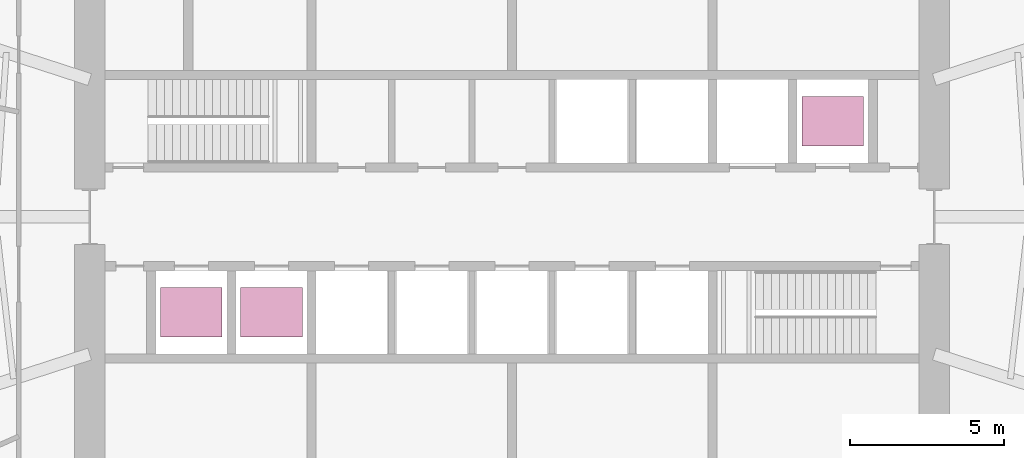
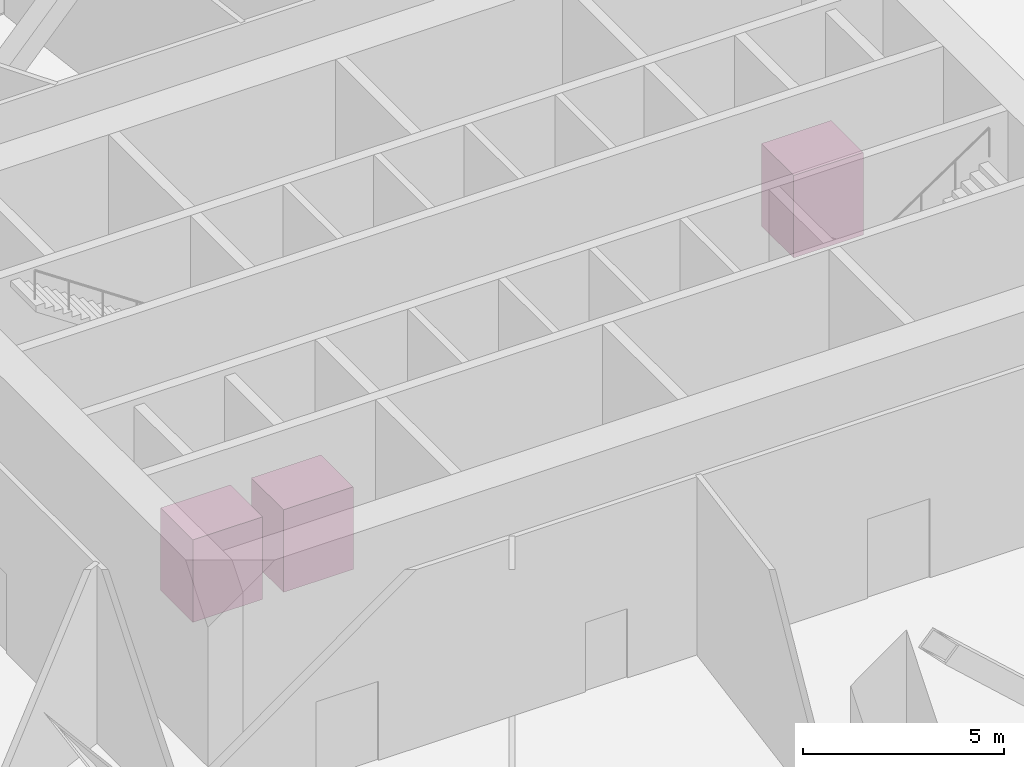
# One storey, part 14 of 14: 3 transport elements.
"""IFC4 building model written with IfcOpenShell, lengths in metres."""

import ifcopenshell
import ifcopenshell.guid

model = None  # the IFC model being written
_history = None  # IfcOwnerHistory: only IFC2X3 demands one
_inside = {}  # id of a spatial element -> (the spatial element, [elements in it])
_under = {}  # id of a project, library or spatial element -> (it, [spatial elements below it])
_declared = {}  # id of a project -> (the project, [libraries it declares])
_typed = {}  # id of a type object -> (the type object, [elements of that type])
_made_of = {}  # id of a material, layer set ... -> (it, [elements and type objects made of it])


def new_model(schema):
    """Start an empty IFC model of exactly this schema.

    Asked for "IFC4X3", IfcOpenShell would pick the latest addendum, in which some entities
    have other attributes; the version numbers below select the first issue.
    IFC2X3 requires an IfcOwnerHistory on every rooted entity: one is made here for all.
    """
    global model, _history
    if schema == "IFC4X3":
        model = ifcopenshell.file(schema_version=(4, 3, 0, 0))
    else:
        model = ifcopenshell.file(schema=schema)
    _inside.clear()
    _under.clear()
    _declared.clear()
    _typed.clear()
    _made_of.clear()
    _history = None
    if model.schema == "IFC2X3":
        org = make("IfcOrganization", Name="unknown")
        user = make(
            "IfcPersonAndOrganization",
            ThePerson=make("IfcPerson", FamilyName="unknown"),
            TheOrganization=org,
        )
        app = make(
            "IfcApplication",
            ApplicationDeveloper=org,
            Version="unknown",
            ApplicationFullName="unknown",
            ApplicationIdentifier="unknown",
        )
        _history = make(
            "IfcOwnerHistory",
            OwningUser=user,
            OwningApplication=app,
            ChangeAction="ADDED",
            CreationDate=0,
        )
    return model


def make(cls, **values):
    """One entity of the class cls with the attributes given. An attribute that is None is left unset."""
    return model.create_entity(
        cls, **{name: value for name, value in values.items() if value is not None}
    )


def rooted(cls, **values):
    """An entity with a GlobalId (a new one), such as an element, a storey or a relation."""
    return make(cls, GlobalId=ifcopenshell.guid.new(), OwnerHistory=_history, **values)


def si_unit(unit_type, name, prefix=None):
    """IfcSIUnit, for example si_unit("LENGTHUNIT", "METRE", prefix="MILLI")."""
    return make("IfcSIUnit", UnitType=unit_type, Prefix=prefix, Name=name)


def assignment(units):
    """IfcUnitAssignment: the units of a project."""
    return None if units is None else make("IfcUnitAssignment", Units=units)


def point(xyz):
    """IfcCartesianPoint."""
    return None if xyz is None else make("IfcCartesianPoint", Coordinates=xyz)


def direction(xyz):
    """IfcDirection."""
    return None if xyz is None else make("IfcDirection", DirectionRatios=xyz)


def frame(location, z_axis=None, x_axis=None):
    """IfcAxis2Placement3D, a coordinate frame: its origin and axes. An axis left out is left unset."""
    return make(
        "IfcAxis2Placement3D",
        Location=point(location),
        Axis=direction(z_axis),
        RefDirection=direction(x_axis),
    )


def frame_2d(location, x_axis=None):
    """IfcAxis2Placement2D, a coordinate frame in the plane: its origin and x axis."""
    return make(
        "IfcAxis2Placement2D", Location=point(location), RefDirection=direction(x_axis)
    )


def origin():
    """The frame at (0, 0, 0) with its axes left unset."""
    return frame((0.0, 0.0, 0.0))


def origin_2d():
    """The frame at (0, 0) in the plane with its x axis left unset."""
    return frame_2d((0.0, 0.0))


def place(relative_to, where):
    """IfcLocalPlacement: puts the frame where relative to a parent placement (None: the world)."""
    return make(
        "IfcLocalPlacement", PlacementRelTo=relative_to, RelativePlacement=where
    )


def context(
    kind, dimensions, precision=None, world=None, true_north=None, identifier=None
):
    """IfcGeometricRepresentationContext, for example the 3D "Model" context."""
    return make(
        "IfcGeometricRepresentationContext",
        ContextIdentifier=identifier,
        ContextType=kind,
        CoordinateSpaceDimension=dimensions,
        Precision=precision,
        WorldCoordinateSystem=world,
        TrueNorth=true_north,
    )


def subcontext(parent, identifier, kind, view, scale=None):
    """IfcGeometricRepresentationSubContext, for example "Body" below "Model"."""
    return make(
        "IfcGeometricRepresentationSubContext",
        ContextIdentifier=identifier,
        ContextType=kind,
        ParentContext=parent,
        TargetScale=scale,
        TargetView=view,
    )


def project(units=None, contexts=None):
    """IfcProject with its units and contexts."""
    return rooted(
        "IfcProject",
        Name="project",
        RepresentationContexts=contexts,
        UnitsInContext=assignment(units),
    )


def spatial(cls, under=None, at=None, **own):
    """A site, building, storey or space (cls), placed at a placement, below another one or the project."""
    s = rooted(cls, ObjectPlacement=at, **own)
    if under is not None:
        _under.setdefault(under.id(), (under, []))[1].append(s)
    return s


def profile(cls, at=None, kind="AREA", **sizes):
    """A parametric profile (cls). Its sizes go by their IFC names, for example OverallWidth=200.0."""
    return make(cls, ProfileType=kind, Position=at, **sizes)


def rectangle(**sizes):
    """IfcRectangleProfileDef."""
    return profile("IfcRectangleProfileDef", **sizes)


def extrude(swept, where, along, depth):
    """IfcExtrudedAreaSolid: the profile swept, set in the frame where, extruded along a direction by depth."""
    return make(
        "IfcExtrudedAreaSolid",
        SweptArea=swept,
        Position=where,
        ExtrudedDirection=direction(along),
        Depth=depth,
    )


def shape(context_of_items, identifier, shape_type, items):
    """IfcShapeRepresentation: the items that make up one representation, for example the "Body"."""
    return make(
        "IfcShapeRepresentation",
        ContextOfItems=context_of_items,
        RepresentationIdentifier=identifier,
        RepresentationType=shape_type,
        Items=items,
    )


def material(Name=None, Category=None):
    """IfcMaterial."""
    return make("IfcMaterial", Name=Name, Category=Category)


def made_of(thing, what):
    """Note that an element or type object is made of a material, layer set ...; save() writes the relation."""
    if what is not None:
        _made_of.setdefault(what.id(), (what, []))[1].append(thing)
    return thing


def type_object(cls, material=None, **own):
    """A type object (cls), such as IfcWallType, which elements share."""
    return made_of(rooted(cls, **own), material)


def element(
    cls,
    number,
    at=None,
    inside=None,
    cuts=None,
    type_object=None,
    material=None,
    context=None,
    identifier="Body",
    shape_type=None,
    held_by="IfcProductDefinitionShape",
    body=None,
    shapes=None,
    **own,
):
    """One element of the class cls, such as IfcWall. Its Tag is "e" and its number.

    at: its placement. inside: the storey or other place that contains it. cuts: it is an
    opening in that element (IfcRelVoidsElement). A single representation is given by context,
    identifier, shape_type and body (its items); several are given by shapes. held_by: the class
    of the entity that holds the representations. save() writes the other relations.
    """
    e = rooted(cls, Tag="e%d" % number, ObjectPlacement=at, **own)
    if body is not None:
        shapes = [shape(context, identifier, shape_type, body)]
    if shapes is not None:
        e.Representation = make(held_by, Representations=shapes)
    if inside is not None:
        _inside.setdefault(inside.id(), (inside, []))[1].append(e)
    if cuts is not None:
        rooted(
            "IfcRelVoidsElement", RelatingBuildingElement=cuts, RelatedOpeningElement=e
        )
    if type_object is not None:
        _typed.setdefault(type_object.id(), (type_object, []))[1].append(e)
    return made_of(e, material)


def aggregate(whole, parts):
    """IfcRelAggregates: a whole, such as a stair, and the parts it consists of."""
    return rooted("IfcRelAggregates", RelatingObject=whole, RelatedObjects=parts)


def save(model, path):
    """Write the relations noted so far, then the file.

    IfcRelAggregates (storeys below a building ...), IfcRelContainedInSpatialStructure (elements
    in a storey), IfcRelDefinesByType, IfcRelAssociatesMaterial and IfcRelDeclares: one each for
    every whole, place, type object, material and project.
    """
    for whole, parts in _under.values():
        aggregate(whole, parts)
    for where, things in _inside.values():
        rooted(
            "IfcRelContainedInSpatialStructure",
            RelatedElements=things,
            RelatingStructure=where,
        )
    for kind, things in _typed.values():
        rooted("IfcRelDefinesByType", RelatedObjects=things, RelatingType=kind)
    for what, things in _made_of.values():
        rooted("IfcRelAssociatesMaterial", RelatedObjects=things, RelatingMaterial=what)
    for by, libraries in _declared.values():
        rooted("IfcRelDeclares", RelatingContext=by, RelatedDefinitions=libraries)
    model.write(path)


model = new_model("IFC4")

# Units and contexts
model_context = context("Model", 3, precision=1e-05, world=origin(), true_north=direction((0.0, 1.0)))
body_context = subcontext(model_context, "Body", "Model", "MODEL_VIEW")
ifc_project = project(units=[si_unit("LENGTHUNIT", "METRE"), si_unit("AREAUNIT", "SQUARE_METRE"), si_unit("VOLUMEUNIT", "CUBIC_METRE"), si_unit("PLANEANGLEUNIT", "RADIAN"), si_unit("MASSUNIT", "GRAM", prefix="KILO")], contexts=[model_context])

# Site, building, storey
site_placement = place(None, origin())
site = spatial("IfcSite", under=ifc_project, at=site_placement, CompositionType="ELEMENT")
building_placement = place(site_placement, origin())
building = spatial("IfcBuilding", under=site, at=building_placement, Name="Marramba Exchange Tower", CompositionType="ELEMENT")
storey_placement = place(building_placement, frame((0.0, 0.0, 166.5)))
storey = spatial("IfcBuildingStorey", under=building, at=storey_placement, Name="L40", CompositionType="ELEMENT", Elevation=166.5)

# Transport elements
ifc_material = material(Name="Steel lift car, stainless steel lining", Category="steel")
transport_element_type = type_object("IfcTransportElementType", Name="High-rise passenger lift car 2000x1600", PredefinedType="ELEVATOR", material=ifc_material)
for number, where, z_axis, x_axis, name in (
    (1, (-7.800048828125, -3.10009765625, 0.0), (0.0, 0.0, 1.0), (1.0, 0.0, 0.0), "Lift LC1"),
    (2, (-10.39990234375, -3.10009765625, 0.0), (0.0, 0.0, 1.0), (1.0, 0.0, 0.0), "Lift LC2"),
    (3, (10.39990234375, 3.10009765625, 0.0), (0.0, 0.0, 1.0), (1.0, 0.0, 0.0), "Lift LC3"),
):
    element("IfcTransportElement", number, at=place(storey_placement, frame(where, z_axis=z_axis, x_axis=x_axis)), inside=storey, type_object=transport_element_type, Name=name, PredefinedType="ELEVATOR", context=body_context, shape_type="SweptSolid", body=[
        extrude(rectangle(XDim=2.0, YDim=1.60009765625, at=origin_2d()), origin(), (0.0, 0.0, 1.0), 2.5),
    ])

save(model, "model.ifc")
